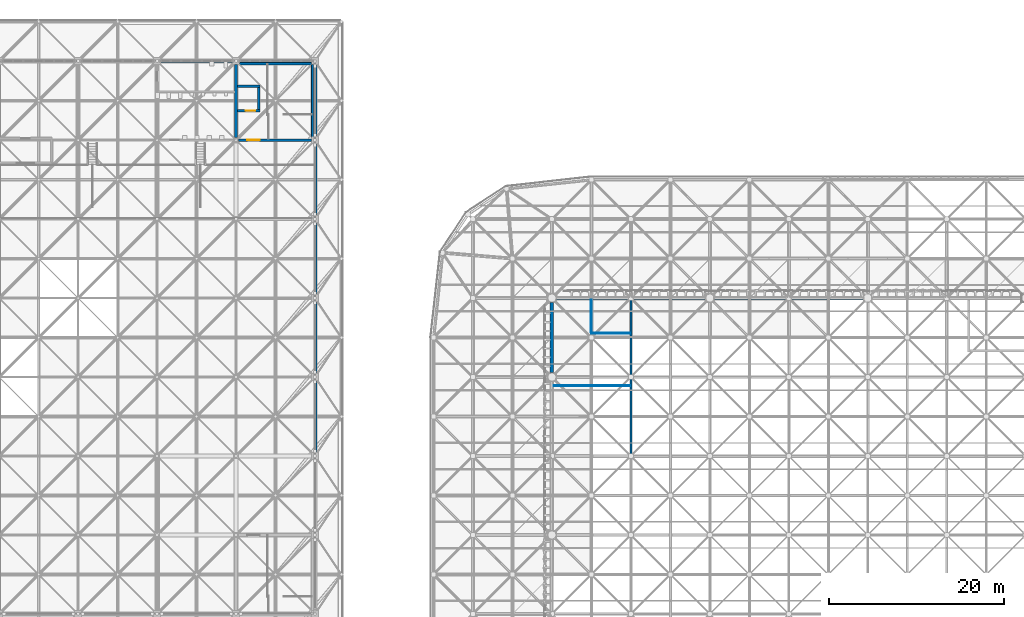
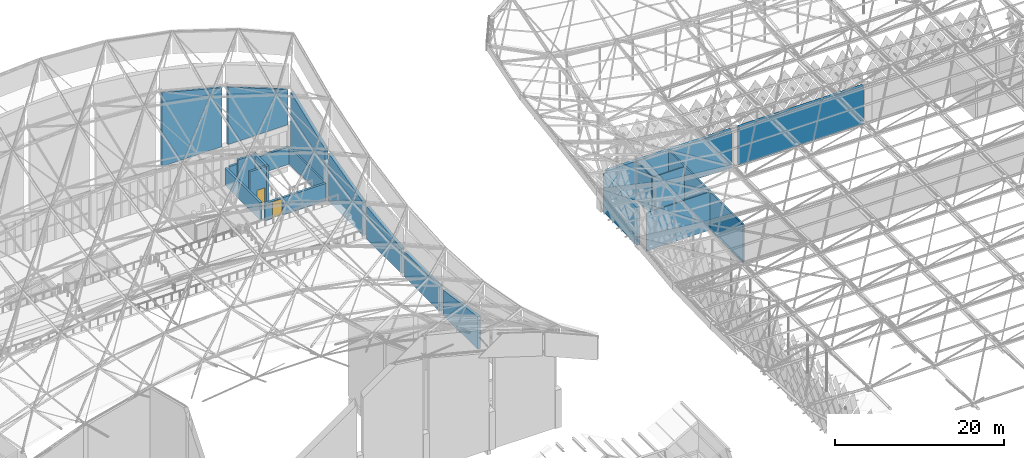
# One storey, part 274 of 437: 21 walls, 2 doors, 2 openings.
"""IFC4 building model written with IfcOpenShell, lengths in metres."""

from ifc_helpers import new_model, si_unit, direction, frame, frame_2d, origin, place, context, subcontext, project, spatial, polyline, rectangle, outline, extrude, material, layer, layer_set, type_object, element, fill, save


model = new_model("IFC4")

# Units and contexts
model_context = context("Model", 3, precision=1e-05, world=origin(), true_north=direction((0.0, 1.0)))
body_context = subcontext(model_context, "Body", "Model", "MODEL_VIEW")
ifc_project = project(units=[si_unit("LENGTHUNIT", "METRE"), si_unit("AREAUNIT", "SQUARE_METRE"), si_unit("VOLUMEUNIT", "CUBIC_METRE"), si_unit("PLANEANGLEUNIT", "RADIAN"), si_unit("MASSUNIT", "GRAM", prefix="KILO")], contexts=[model_context])

# Site, building, storey
site_placement = place(None, origin())
site = spatial("IfcSite", under=ifc_project, at=site_placement, CompositionType="ELEMENT")
building_placement = place(site_placement, origin())
building = spatial("IfcBuilding", under=site, at=building_placement, Name="Opaline Strait Convention Centre", CompositionType="ELEMENT")
storey_placement = place(building_placement, frame((0.0, 0.0, 11.5)))
storey = spatial("IfcBuildingStorey", under=building, at=storey_placement, Name="L02", CompositionType="ELEMENT", Elevation=11.5)

# Walls
ifc_material_1 = material(Name="Concrete C40", Category="concrete")
ifc_layer_1 = layer(ifc_material_1, 0.25)
ifc_material_2 = material(Name="Mineral wool insulation")
ifc_layer_2 = layer(ifc_material_2, 0.10009765625)
ifc_material_3 = material(Name="Gypsum board lining")
ifc_layer_3 = layer(ifc_material_3, 0.050048828125)
ifc_layer_set_1 = layer_set([ifc_layer_1, ifc_layer_2, ifc_layer_3], Name="Concrete C40, Mineral wool insulation, Gypsum board lining")
wall_type_1 = type_object("IfcWallType", Name="External wall RC 400 insulated", PredefinedType="SOLIDWALL", material=ifc_layer_set_1)
for number, where, z_axis, x_axis, name in (
    (1, (99.5, 153.0, 0.0), (0.0, 0.0, 1.0), (1.0, 0.0, 0.0), "External wall N1"),
    (2, (117.5, 153.0, 0.0), (0.0, 0.0, 1.0), (1.0, 0.0, 0.0), "External wall N2"),
):
    element("IfcWall", number, at=place(storey_placement, frame(where, z_axis=z_axis, x_axis=x_axis)), inside=storey, type_object=wall_type_1, Name=name, PredefinedType="SOLIDWALL", context=body_context, shape_type="SweptSolid", body=[
        extrude(rectangle(XDim=17.0, YDim=0.39990234375, at=frame_2d((8.5, 0.0))), origin(), (0.0, 0.0, 1.0), 5.5),
    ])
wall_1_placement = place(storey_placement, frame((99.0, 144.5, 0.0), z_axis=(0.0, 0.0, 1.0), x_axis=(0.0, 1.0, 0.0)))
element("IfcWall", 3, at=wall_1_placement, inside=storey, type_object=wall_type_1, Name="External wall W7", PredefinedType="SOLIDWALL", context=body_context, shape_type="SweptSolid", body=[
    extrude(rectangle(XDim=8.0, YDim=0.39990234375, at=frame_2d((4.0, 0.0))), origin(), (0.0, 0.0, 1.0), 5.5),
])
ifc_material_4 = material(Name="Lightweight blockwork", Category="masonry")
ifc_layer_4 = layer(ifc_material_4, 0.199951171875)
ifc_layer_set_2 = layer_set([ifc_layer_4], Name="Lightweight blockwork")
wall_type_2 = type_object("IfcWallType", Name="Partition EI 60 blockwork 200", PredefinedType="PARTITIONING", material=ifc_layer_set_2)
wall_2_placement = place(storey_placement, frame((108.0, 135.199951171875, 0.0), z_axis=(0.0, 0.0, 1.0), x_axis=(0.0, 1.0, 0.0)))
element("IfcWall", 4, at=wall_2_placement, inside=storey, type_object=wall_type_2, Name="WC block front wall", PredefinedType="PARTITIONING", context=body_context, shape_type="SweptSolid", body=[
    extrude(rectangle(XDim=17.60009765625, YDim=0.199951171875, at=frame_2d((8.800048828125, 0.0))), origin(), (0.0, 0.0, 1.0), 5.5),
])
ifc_layer_5 = layer(ifc_material_1, 0.320068359375)
ifc_layer_6 = layer(ifc_material_2, 0.050048828125)
ifc_layer_7 = layer(ifc_material_3, 0.030029296875)
ifc_layer_set_3 = layer_set([ifc_layer_5, ifc_layer_6, ifc_layer_7], Name="Concrete C40, Mineral wool insulation, Gypsum board lining")
wall_type_3 = type_object("IfcWallType", Name="RC external wall 400 C40", PredefinedType="SOLIDWALL", material=ifc_layer_set_3)
wall_3_placement = place(storey_placement, frame((72.0, 135.39990234375, 0.0), z_axis=(0.0, 0.0, 1.0), x_axis=(0.0, 1.0, 0.0)))
element("IfcWall", 5, at=wall_3_placement, inside=storey, type_object=wall_type_3, Name="PW1 east wall L02 9/R-9/S", PredefinedType="SOLIDWALL", context=body_context, shape_type="SweptSolid", body=[
    extrude(outline(polyline([(0.0, 0.0), (8.2001953125, 0.0), (8.199951171875, 3.6328125), (0.0, 4.70068359375), (0.0, 0.0)])), frame((0.0, 0.199951171875, 0.0), z_axis=(0.0, -1.0, 0.0), x_axis=(1.0, 0.0, 0.0)), (0.0, 0.0, 1.0), 0.39990234375),
])
wall_4_placement = place(storey_placement, frame((72.0, 144.39990234375, 0.0), z_axis=(0.0, 0.0, 1.0), x_axis=(0.0, 1.0, 0.0)))
element("IfcWall", 6, at=wall_4_placement, inside=storey, type_object=wall_type_3, Name="PW1 east wall L02 9/S-9/T", PredefinedType="SOLIDWALL", context=body_context, shape_type="SweptSolid", body=[
    extrude(outline(polyline([(0.0, 0.0), (8.2001953125, 0.0), (8.199951171875, 3.608642578125), (0.0, 3.608642578125), (0.0, 0.0)])), frame((0.0, 0.199951171875, 0.0), z_axis=(0.0, -1.0, 0.0), x_axis=(1.0, 0.0, 0.0)), (0.0, 0.0, 1.0), 0.39990234375),
])
wall_5_placement = place(storey_placement, frame((72.0, 153.39990234375, 0.0), z_axis=(0.0, 0.0, 1.0), x_axis=(0.0, 1.0, 0.0)))
element("IfcWall", 7, at=wall_5_placement, inside=storey, type_object=wall_type_3, Name="PW1 east wall L02 9/T-9/U", PredefinedType="SOLIDWALL", context=body_context, shape_type="SweptSolid", body=[
    extrude(outline(polyline([(0.0, 0.0), (8.2001953125, 0.0), (8.199951171875, 4.70068359375), (0.0, 3.6328125), (0.0, 0.0)])), frame((0.0, 0.199951171875, 0.0), z_axis=(0.0, -1.0, 0.0), x_axis=(1.0, 0.0, 0.0)), (0.0, 0.0, 1.0), 0.39990234375),
])
wall_6_placement = place(storey_placement, frame((72.0, 162.39990234375, 0.0), z_axis=(0.0, 0.0, 1.0), x_axis=(0.0, 1.0, 0.0)))
element("IfcWall", 8, at=wall_6_placement, inside=storey, type_object=wall_type_3, Name="PW1 east wall L02 9/U-9/V", PredefinedType="SOLIDWALL", context=body_context, shape_type="SweptSolid", body=[
    extrude(outline(polyline([(0.0, 0.0), (8.2001953125, 0.0), (8.199951171875, 6.935546875), (0.0, 4.775634765625), (0.0, 0.0)])), frame((0.0, 0.199951171875, 0.0), z_axis=(0.0, -1.0, 0.0), x_axis=(1.0, 0.0, 0.0)), (0.0, 0.0, 1.0), 0.39990234375),
])
wall_7_placement = place(storey_placement, frame((72.0, 171.39990234375, 0.0), z_axis=(0.0, 0.0, 1.0), x_axis=(0.0, 1.0, 0.0)))
element("IfcWall", 9, at=wall_7_placement, inside=storey, type_object=wall_type_3, Name="PW1 east wall L02 9/V-9/W", PredefinedType="SOLIDWALL", context=body_context, shape_type="SweptSolid", body=[
    extrude(outline(polyline([(0.0, 0.0), (8.2001953125, 0.0), (8.199951171875, 10.3134765625), (0.0, 7.061279296875), (0.0, 0.0)])), frame((0.0, 0.199951171875, 0.0), z_axis=(0.0, -1.0, 0.0), x_axis=(1.0, 0.0, 0.0)), (0.0, 0.0, 1.0), 0.39990234375),
])
ifc_layer_8 = layer(ifc_material_1, 0.300048828125)
ifc_layer_set_4 = layer_set([ifc_layer_8], Name="Concrete C40")
wall_type_4 = type_object("IfcWallType", Name="RC stair core wall 300 C40", PredefinedType="SOLIDWALL", material=ifc_layer_set_4)
wall_8_placement = place(storey_placement, frame((63.0, 171.300048828125, 0.0), z_axis=(0.0, 0.0, 1.0), x_axis=(0.0, 1.0, 0.0)))
element("IfcWall", 10, at=wall_8_placement, inside=storey, type_object=wall_type_4, Name="PW13 L02 NE core side wall", PredefinedType="SOLIDWALL", context=body_context, shape_type="SweptSolid", body=[
    extrude(rectangle(XDim=8.300048828125, YDim=0.300048828125, at=frame_2d((4.14990234375, 0.0))), origin(), (0.0, 0.0, 1.0), 2.5),
])

# Wall, opening, door
wall_9_placement = place(storey_placement, frame((63.300048828125, 171.0, 0.0), z_axis=(0.0, 0.0, 1.0), x_axis=(1.0, 0.0, 0.0)))
wall_9 = element("IfcWall", 11, at=wall_9_placement, inside=storey, type_object=wall_type_4, Name="PW13 L02 NE core cross wall", PredefinedType="SOLIDWALL", context=body_context, shape_type="SweptSolid", body=[
    extrude(rectangle(XDim=8.300048828125, YDim=0.300048828125, at=frame_2d((4.14990234375, 0.0))), origin(), (0.0, 0.0, 1.0), 2.5),
])
opening_1_placement = place(wall_9_placement, frame((1.0, 0.0, 0.0)))
opening_1 = element("IfcOpeningElement", 12, at=opening_1_placement, cuts=wall_9, Name="Opening P2-004", PredefinedType="OPENING", context=body_context, shape_type="SweptSolid", body=[
    extrude(rectangle(XDim=1.39990234375, YDim=2.39990234375, at=frame_2d((0.699951171875, 1.199951171875))), frame((0.0, 0.159912109375, 0.0), z_axis=(0.0, -1.0, 0.0), x_axis=(1.0, 0.0, 0.0)), (0.0, 0.0, 1.0), 0.320068359375),
])
ifc_material_5 = material(Name="Steel Q235B", Category="steel")
door_type_1 = type_object("IfcDoorType", Name="Fire door FD60 1400 x 2400", OperationType="DOUBLE_DOOR_SINGLE_SWING", PredefinedType="DOOR", material=ifc_material_5)
door_1_placement = place(opening_1_placement, origin())
door_1 = element("IfcDoor", 13, at=door_1_placement, inside=storey, type_object=door_type_1, Name="NE stair core door", ObjectType="PD8", OperationType="SINGLE_SWING_LEFT", OverallHeight=2.39990234375, OverallWidth=1.39990234375, PredefinedType="DOOR", context=body_context, shape_type="SweptSolid", body=[
    extrude(rectangle(XDim=1.39990234375, YDim=2.39990234375, at=frame_2d((0.699951171875, 1.199951171875))), frame((0.0, 0.02490234375, 0.0), z_axis=(0.0, -1.0, 0.0), x_axis=(1.0, 0.0, 0.0)), (0.0, 0.0, 1.0), 0.050048828125),
])
fill(opening_1, door_1)

# Walls
wall_10_placement = place(storey_placement, frame((63.39990234375, 179.699951171875, 0.0), z_axis=(0.0, 0.0, 1.0), x_axis=(1.0, 0.0, 0.0)))
element("IfcWall", 14, at=wall_10_placement, inside=storey, type_object=wall_type_4, Name="PW13 L02 NE core north wall", PredefinedType="SOLIDWALL", context=body_context, shape_type="SweptSolid", body=[
    extrude(rectangle(XDim=8.2001953125, YDim=0.300048828125, at=frame_2d((4.10009765625, 0.0))), origin(), (0.0, 0.0, 1.0), 2.5),
])
wall_11_placement = place(storey_placement, frame((65.60009765625, 174.199951171875, 0.0), z_axis=(0.0, 0.0, 1.0), x_axis=(0.0, 1.0, 0.0)))
element("IfcWall", 15, at=wall_11_placement, inside=storey, type_object=wall_type_4, Name="PW13 L02 NE lift shaft wall", PredefinedType="SOLIDWALL", context=body_context, shape_type="SweptSolid", body=[
    extrude(rectangle(XDim=3.10009765625, YDim=0.300048828125, at=frame_2d((1.550048828125, 0.0))), origin(), (0.0, 0.0, 1.0), 5.10009765625),
])

# Wall, opening, door
wall_12_placement = place(storey_placement, frame((63.14990234375, 174.35009765625, 0.0), z_axis=(0.0, 0.0, 1.0), x_axis=(1.0, 0.0, 0.0)))
wall_12 = element("IfcWall", 16, at=wall_12_placement, inside=storey, type_object=wall_type_4, Name="PW13 L02 NE lift lobby wall", PredefinedType="SOLIDWALL", context=body_context, shape_type="SweptSolid", body=[
    extrude(rectangle(XDim=2.60009765625, YDim=0.300048828125, at=frame_2d((1.300048828125, 0.0))), origin(), (0.0, 0.0, 1.0), 5.10009765625),
])
opening_2_placement = place(wall_12_placement, frame((0.949951171875, 0.0, 0.0)))
opening_2 = element("IfcOpeningElement", 17, at=opening_2_placement, cuts=wall_12, Name="Opening P2-014", PredefinedType="OPENING", context=body_context, shape_type="SweptSolid", body=[
    extrude(rectangle(XDim=1.10009765625, YDim=2.10009765625, at=frame_2d((0.550048828125, 1.050048828125))), frame((0.0, 0.159912109375, 0.0), z_axis=(0.0, -1.0, 0.0), x_axis=(1.0, 0.0, 0.0)), (0.0, 0.0, 1.0), 0.320068359375),
])
ifc_material_6 = material(Name="Stainless steel 304", Category="steel")
door_type_2 = type_object("IfcDoorType", Name="Lift landing door 1100 x 2100", OperationType="SLIDING_TO_LEFT", PredefinedType="DOOR", material=ifc_material_6)
door_2_placement = place(opening_2_placement, origin())
door_2 = element("IfcDoor", 18, at=door_2_placement, inside=storey, type_object=door_type_2, Name="Lift landing door NE L02", ObjectType="PD10", OperationType="SLIDING_TO_LEFT", OverallHeight=2.10009765625, OverallWidth=1.10009765625, PredefinedType="DOOR", context=body_context, shape_type="SweptSolid", body=[
    extrude(rectangle(XDim=1.10009765625, YDim=2.10009765625, at=frame_2d((0.550048828125, 1.050048828125))), frame((0.0, 0.02490234375, 0.0), z_axis=(0.0, -1.0, 0.0), x_axis=(1.0, 0.0, 0.0)), (0.0, 0.0, 1.0), 0.050048828125),
])
fill(opening_2, door_2)

# Walls
wall_13_placement = place(storey_placement, frame((63.14990234375, 177.14990234375, 0.0), z_axis=(0.0, 0.0, 1.0), x_axis=(1.0, 0.0, 0.0)))
element("IfcWall", 19, at=wall_13_placement, inside=storey, type_object=wall_type_4, Name="PW13 L02 NE lift back wall", PredefinedType="SOLIDWALL", context=body_context, shape_type="SweptSolid", body=[
    extrude(rectangle(XDim=2.60009765625, YDim=0.300048828125, at=frame_2d((1.300048828125, 0.0))), origin(), (0.0, 0.0, 1.0), 5.10009765625),
])
ifc_layer_9 = layer(ifc_material_1, 0.199951171875)
ifc_layer_set_5 = layer_set([ifc_layer_9], Name="Concrete C40")
wall_type_5 = type_object("IfcWallType", Name="RC stair lining wall 200 C40", PredefinedType="SOLIDWALL", material=ifc_layer_set_5)
wall_14_placement = place(storey_placement, frame((71.699951171875, 171.300048828125, 0.0), z_axis=(0.0, 0.0, 1.0), x_axis=(0.0, 1.0, 0.0)))
element("IfcWall", 20, at=wall_14_placement, inside=storey, type_object=wall_type_5, Name="PW14 L02 NE stair lining wall", PredefinedType="SOLIDWALL", context=body_context, shape_type="SweptSolid", body=[
    extrude(rectangle(XDim=8.300048828125, YDim=0.199951171875, at=frame_2d((4.14990234375, 0.0))), origin(), (0.0, 0.0, 1.0), 2.5),
])
ifc_material_7 = material(Name="Gypsum board partition")
ifc_layer_10 = layer(ifc_material_7, 0.10009765625)
ifc_layer_set_6 = layer_set([ifc_layer_10], Name="Gypsum board partition")
wall_type_6 = type_object("IfcWallType", Name="WC partition gypsum 100", PredefinedType="PARTITIONING", material=ifc_layer_set_6)
wall_15_placement = place(storey_placement, frame((99.199951171875, 143.0, 0.0), z_axis=(0.0, 0.0, 1.0), x_axis=(1.0, 0.0, 0.0)))
element("IfcWall", 21, at=wall_15_placement, inside=storey, type_object=wall_type_6, Name="WC partition", PredefinedType="PARTITIONING", context=body_context, shape_type="SweptSolid", body=[
    extrude(rectangle(XDim=8.699951171875, YDim=0.10009765625, at=frame_2d((4.35009765625, 0.0))), origin(), (0.0, 0.0, 1.0), 5.5),
])
wall_16_placement = place(storey_placement, frame((103.5, 149.0, 0.0), z_axis=(0.0, 0.0, 1.0), x_axis=(1.0, 0.0, 0.0)))
element("IfcWall", 22, at=wall_16_placement, inside=storey, type_object=wall_type_6, Name="WC partition", PredefinedType="PARTITIONING", context=body_context, shape_type="SweptSolid", body=[
    extrude(rectangle(XDim=4.39990234375, YDim=0.10009765625, at=frame_2d((2.199951171875, 0.0))), origin(), (0.0, 0.0, 1.0), 5.5),
])
wall_17_placement = place(storey_placement, frame((103.5, 149.10009765625, 0.0), z_axis=(0.0, 0.0, 1.0), x_axis=(0.0, 1.0, 0.0)))
element("IfcWall", 23, at=wall_17_placement, inside=storey, type_object=wall_type_6, Name="WC partition", PredefinedType="PARTITIONING", context=body_context, shape_type="SweptSolid", body=[
    extrude(rectangle(XDim=3.699951171875, YDim=0.10009765625, at=frame_2d((1.85009765625, 0.0))), origin(), (0.0, 0.0, 1.0), 5.5),
])
ifc_material_8 = material(Name="Precast concrete C40/50, white finish", Category="concrete")
ifc_layer_11 = layer(ifc_material_8, 0.219970703125)
ifc_layer_12 = layer(ifc_material_2, 0.050048828125)
ifc_layer_13 = layer(ifc_material_3, 0.030029296875)
ifc_layer_set_7 = layer_set([ifc_layer_11, ifc_layer_12, ifc_layer_13], Name="Precast concrete C40/50, white finish, Mineral wool insulation, Gypsum board lining")
wall_type_7 = type_object("IfcWallType", Name="White precast end wall panel 300", PredefinedType="STANDARD", material=ifc_layer_set_7)
wall_18_placement = place(storey_placement, frame((54.39990234375, 180.0, 5.5), z_axis=(0.0, 0.0, 1.0), x_axis=(1.0, 0.0, 0.0)))
element("IfcWall", 24, at=wall_18_placement, inside=storey, type_object=wall_type_7, Name="PW10 raked end wall 6", PredefinedType="STANDARD", context=body_context, shape_type="SweptSolid", body=[
    extrude(outline(polyline([(0.0, 0.0), (8.2001953125, 0.0), (8.199951171875, 8.493896484375), (0.0, 10.652587890625), (0.0, 0.0)])), frame((0.0, 0.14990234375, 0.0), z_axis=(0.0, -1.0, 0.0), x_axis=(1.0, 0.0, 0.0)), (0.0, 0.0, 1.0), 0.300048828125),
])
wall_19_placement = place(storey_placement, frame((63.39990234375, 180.0, 5.5), z_axis=(0.0, 0.0, 1.0), x_axis=(1.0, 0.0, 0.0)))
element("IfcWall", 25, at=wall_19_placement, inside=storey, type_object=wall_type_7, Name="PW10 raked end wall 7", PredefinedType="STANDARD", context=body_context, shape_type="SweptSolid", body=[
    extrude(outline(polyline([(0.0, 0.0), (8.2001953125, 0.0), (8.199951171875, 5.078125), (0.0, 8.316162109375), (0.0, 0.0)])), frame((0.0, 0.14990234375, 0.0), z_axis=(0.0, -1.0, 0.0), x_axis=(1.0, 0.0, 0.0)), (0.0, 0.0, 1.0), 0.300048828125),
])

save(model, "model.ifc")
